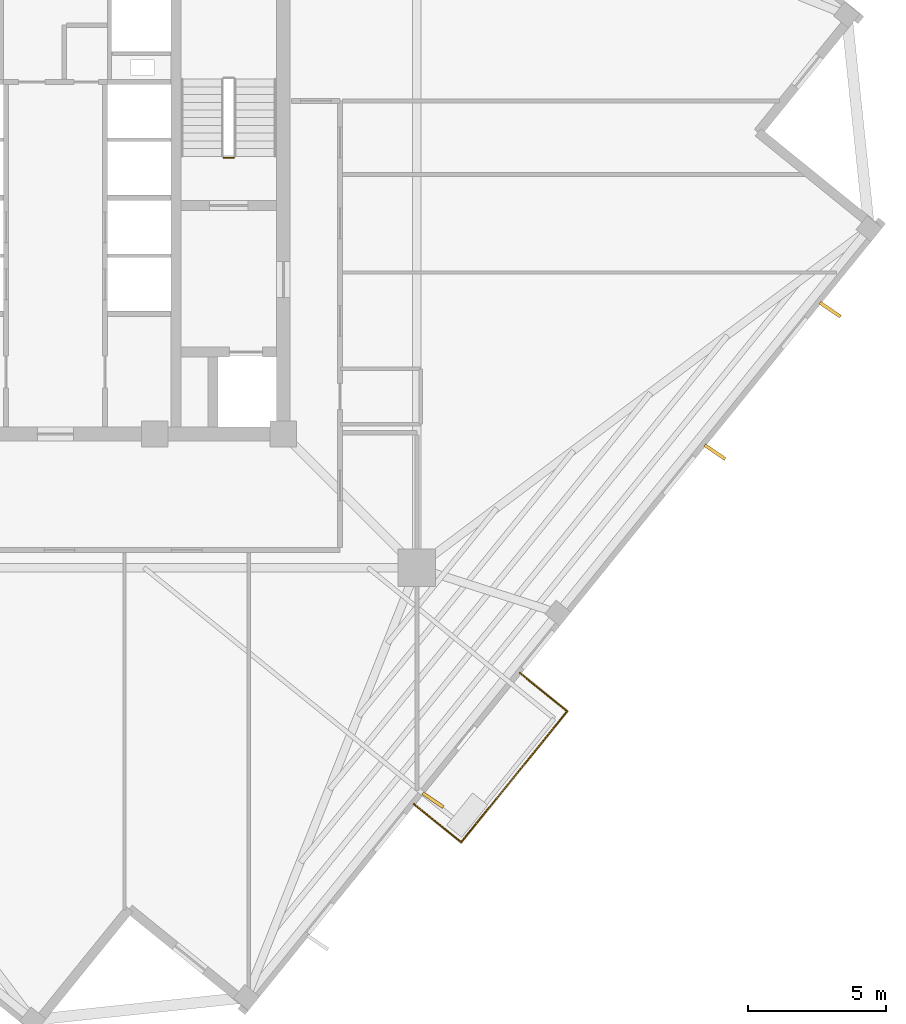
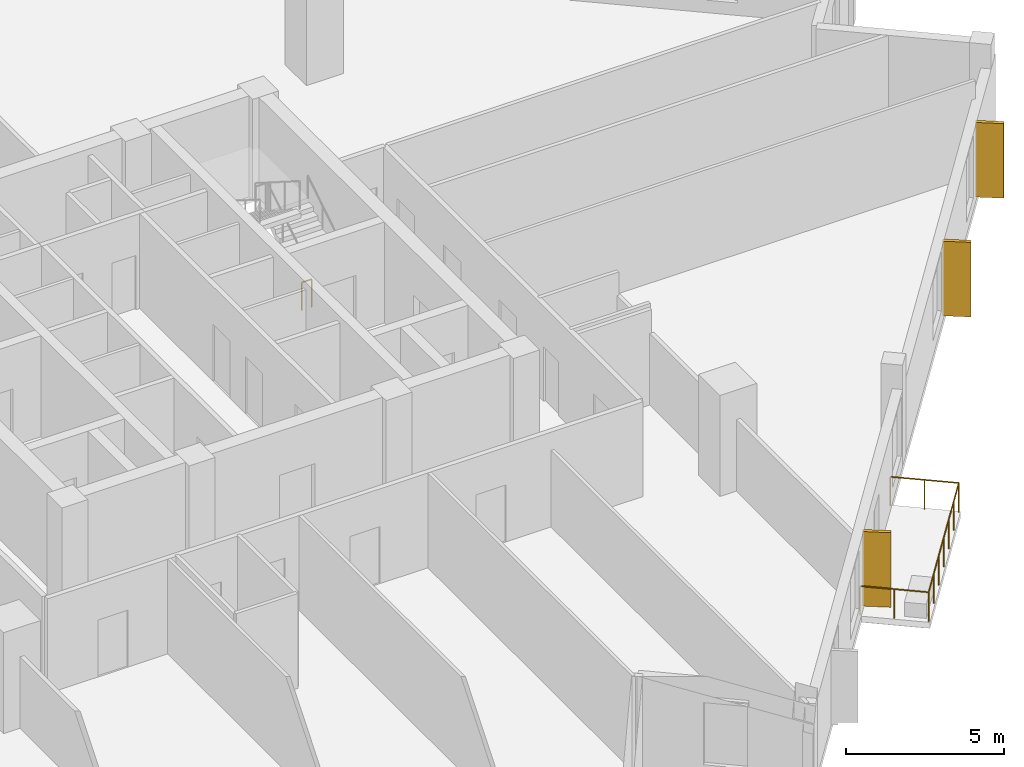
# One storey, part 7 of 9: 4 railings, 3 coverings.
"""IFC4 building model written with IfcOpenShell, lengths in metres."""

from ifc_helpers import new_model, si_unit, direction, frame, origin, origin_2d, place, context, subcontext, project, spatial, rectangle, circle, extrude, source, transform, mapped, material, layer, layer_set, type_object, element, save


model = new_model("IFC4")

# Units and contexts
model_context = context("Model", 3, precision=1e-05, world=origin(), true_north=direction((0.0, 1.0)))
body_context = subcontext(model_context, "Body", "Model", "MODEL_VIEW")
ifc_project = project(units=[si_unit("LENGTHUNIT", "METRE"), si_unit("AREAUNIT", "SQUARE_METRE"), si_unit("VOLUMEUNIT", "CUBIC_METRE"), si_unit("PLANEANGLEUNIT", "RADIAN"), si_unit("MASSUNIT", "GRAM", prefix="KILO"), si_unit("THERMODYNAMICTEMPERATUREUNIT", "KELVIN")], contexts=[model_context])

# Site, building, storey
site_placement = place(None, origin())
site = spatial("IfcSite", under=ifc_project, at=site_placement, CompositionType="ELEMENT")
building_placement = place(site_placement, origin())
building = spatial("IfcBuilding", under=site, at=building_placement, Name="Kosmvard Interchange Tower", CompositionType="ELEMENT")
storey_placement = place(building_placement, frame((0.0, 0.0, 213.39990234375)))
storey = spatial("IfcBuildingStorey", under=building, at=storey_placement, Name="L51", CompositionType="ELEMENT", Elevation=213.39990234375)

# Railings
ifc_material_1 = material(Name="Steel S355", Category="steel")
railing_type_1 = type_object("IfcRailingType", Name="Observation & Balcony Glass-Infill Balustrade 1150", PredefinedType="BALUSTRADE", material=ifc_material_1)
shared_shape_1 = source(origin(), body_context, "Body", "SweptSolid", [
    extrude(circle(Radius=0.02392578125, at=origin_2d()), frame((0.0, 0.0, 1.1259765625), z_axis=(-0.777195763313, 0.629258885904, 0.0), x_axis=(-0.629258885904, -0.777195763313, 0.0)), (0.0, 0.0, 1.0), 2.199951171875),
    extrude(circle(Radius=0.02099609375, at=origin_2d()), origin(), (0.0, 0.0, 1.0), 1.101806640625),
    extrude(circle(Radius=0.02099609375, at=origin_2d()), frame((-0.85498046875, 0.692138671875, 0.0)), (0.0, 0.0, 1.0), 1.101806640625),
    extrude(circle(Radius=0.02099609375, at=origin_2d()), frame((-1.709716796875, 1.38427734375, 0.0)), (0.0, 0.0, 1.0), 1.101806640625),
])
railing_1_placement = place(storey_placement, frame((18.523193359375, -18.281005859375, 0.0)))
element("IfcRailing", 1, at=railing_1_placement, inside=storey, type_object=railing_type_1, Name="L51 Outdoor Terrace Guard BAL-L51-S-C", PredefinedType="BALUSTRADE", context=body_context, shape_type="MappedRepresentation", body=[
    mapped(shared_shape_1, transform((0.0, 0.0, 0.0), scale=1.0)),
])
shared_shape_2 = source(origin(), body_context, "Body", "SweptSolid", [
    extrude(circle(Radius=0.02392578125, at=origin_2d()), frame((0.0, 0.0, 1.1259765625), z_axis=(0.777141488432, -0.629325914736, 0.0), x_axis=(0.629325914736, 0.777141488432, 0.0)), (0.0, 0.0, 1.0), 2.199951171875),
    extrude(circle(Radius=0.02099609375, at=origin_2d()), origin(), (0.0, 0.0, 1.0), 1.101806640625),
    extrude(circle(Radius=0.02099609375, at=origin_2d()), frame((0.85498046875, -0.6923828125, 0.0)), (0.0, 0.0, 1.0), 1.101806640625),
    extrude(circle(Radius=0.02099609375, at=origin_2d()), frame((1.709716796875, -1.384521484375, 0.0)), (0.0, 0.0, 1.0), 1.101806640625),
])
railing_2_placement = place(storey_placement, frame((12.974853515625, -21.63720703125, 0.0)))
element("IfcRailing", 2, at=railing_2_placement, inside=storey, type_object=railing_type_1, Name="L51 Outdoor Terrace Guard BAL-L51-S-A", PredefinedType="BALUSTRADE", context=body_context, shape_type="MappedRepresentation", body=[
    mapped(shared_shape_2, transform((0.0, 0.0, 0.0), scale=1.0)),
])

# Coverings
ifc_material_2 = material(Name="Architectural anodised aluminium", Category="aluminium")
ifc_layer = layer(ifc_material_2, 0.1201171875, Name="Architectural anodised aluminium")
ifc_layer_set = layer_set([ifc_layer], Name="Architectural anodised aluminium")
covering_type = type_object("IfcCoveringType", Name="Rotating Vertical Sun-Breaker Fin 900x120 Aluminium", PredefinedType="CLADDING", material=ifc_layer_set)
shared_shape_3 = source(origin(), body_context, "Body", "SweptSolid", [
    extrude(rectangle(XDim=0.89990234375, YDim=0.1201171875, at=origin_2d()), origin(), (0.0, 0.0, 1.0), 2.8798828125),
])
for number, where, z_axis, x_axis, name in (
    (3, (13.66748046875, -21.49658203125, 0.0400390625), (0.0, 0.0, 1.0), (0.826393242792, -0.563093427655, 0.0), "L51 Rotating Vertical Sun-Breaker Fin 02"),
    (4, (23.86865234375, -8.8994140625, 0.0400390625), (0.0, 0.0, 1.0), (0.826393242792, -0.563093427655, 0.0), "L51 Rotating Vertical Sun-Breaker Fin 03"),
    (5, (28.041748046875, -3.74609375, 0.0400390625), (0.0, 0.0, 1.0), (0.826393242792, -0.563093427655, 0.0), "L51 Rotating Vertical Sun-Breaker Fin 04"),
):
    element("IfcCovering", number, at=place(storey_placement, frame(where, z_axis=z_axis, x_axis=x_axis)), inside=storey, type_object=covering_type, Name=name, PredefinedType="CLADDING", context=body_context, shape_type="MappedRepresentation", body=[
        mapped(shared_shape_3, transform((0.0, 0.0, 0.0), scale=1.0)),
    ])

# Railings
shared_shape_4 = source(origin(), body_context, "Body", "SweptSolid", [
    extrude(circle(Radius=0.02392578125, at=origin_2d()), frame((0.0, 0.0, 1.1259765625), z_axis=(0.629286879001, 0.777173097783, 0.0), x_axis=(-0.777173097783, 0.629286879001, 0.0)), (0.0, 0.0, 1.0), 6.099853515625),
    extrude(circle(Radius=0.02099609375, at=origin_2d()), origin(), (0.0, 0.0, 1.0), 1.101806640625),
    extrude(circle(Radius=0.02099609375, at=origin_2d()), frame((0.6396484375, 0.7900390625, 0.0)), (0.0, 0.0, 1.0), 1.101806640625),
    extrude(circle(Radius=0.02099609375, at=origin_2d()), frame((1.279541015625, 1.580322265625, 0.0)), (0.0, 0.0, 1.0), 1.101806640625),
    extrude(circle(Radius=0.02099609375, at=origin_2d()), frame((1.91943359375, 2.370361328125, 0.0)), (0.0, 0.0, 1.0), 1.101806640625),
    extrude(circle(Radius=0.02099609375, at=origin_2d()), frame((2.55908203125, 3.160400390625, 0.0)), (0.0, 0.0, 1.0), 1.101806640625),
    extrude(circle(Radius=0.02099609375, at=origin_2d()), frame((3.19873046875, 3.95068359375, 0.0)), (0.0, 0.0, 1.0), 1.101806640625),
    extrude(circle(Radius=0.02099609375, at=origin_2d()), frame((3.838623046875, 4.74072265625, 0.0)), (0.0, 0.0, 1.0), 1.101806640625),
])
railing_3_placement = place(storey_placement, frame((14.6845703125, -23.021728515625, 0.0)))
element("IfcRailing", 6, at=railing_3_placement, inside=storey, type_object=railing_type_1, Name="L51 Outdoor Terrace Guard BAL-L51-S-B", PredefinedType="BALUSTRADE", context=body_context, shape_type="MappedRepresentation", body=[
    mapped(shared_shape_4, transform((0.0, 0.0, 0.0), scale=1.0)),
])
railing_type_2 = type_object("IfcRailingType", Name="Stair & Terrace Safety Guardrail 1100 Steel", PredefinedType="GUARDRAIL", material=ifc_material_1)
shared_shape_5 = source(origin(), body_context, "Body", "SweptSolid", [
    extrude(circle(Radius=0.02392578125, at=origin_2d()), frame((0.0, 0.0, 1.076171875), z_axis=(-1.0, 0.0, 0.0), x_axis=(0.0, -1.0, 0.0)), (0.0, 0.0, 1.0), 0.35986328125),
    extrude(circle(Radius=0.02099609375, at=origin_2d()), origin(), (0.0, 0.0, 1.0), 1.052001953125),
    extrude(circle(Radius=0.02099609375, at=origin_2d()), frame((-0.35986328125, 0.0, 0.0)), (0.0, 0.0, 1.0), 1.052001953125),
])
railing_4_placement = place(storey_placement, frame((6.449951171875, 1.75, 0.0)))
element("IfcRailing", 7, at=railing_4_placement, inside=storey, type_object=railing_type_2, Name="L51 ST-2 stair guard 4", PredefinedType="GUARDRAIL", context=body_context, shape_type="MappedRepresentation", body=[
    mapped(shared_shape_5, transform((0.0, 0.0, 0.0), scale=1.0)),
])

save(model, "model.ifc")
